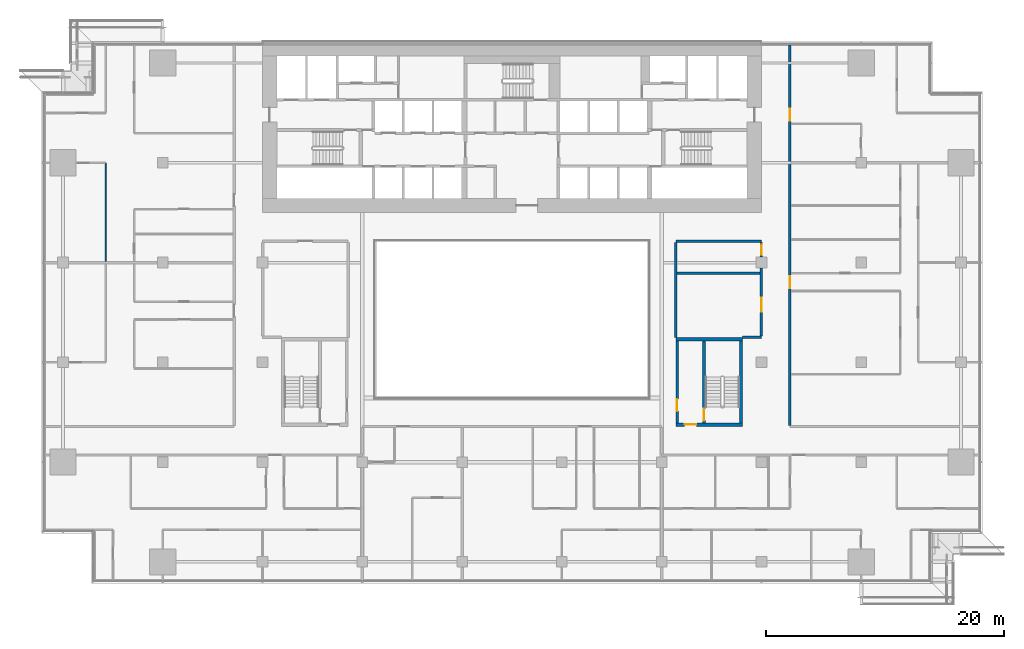
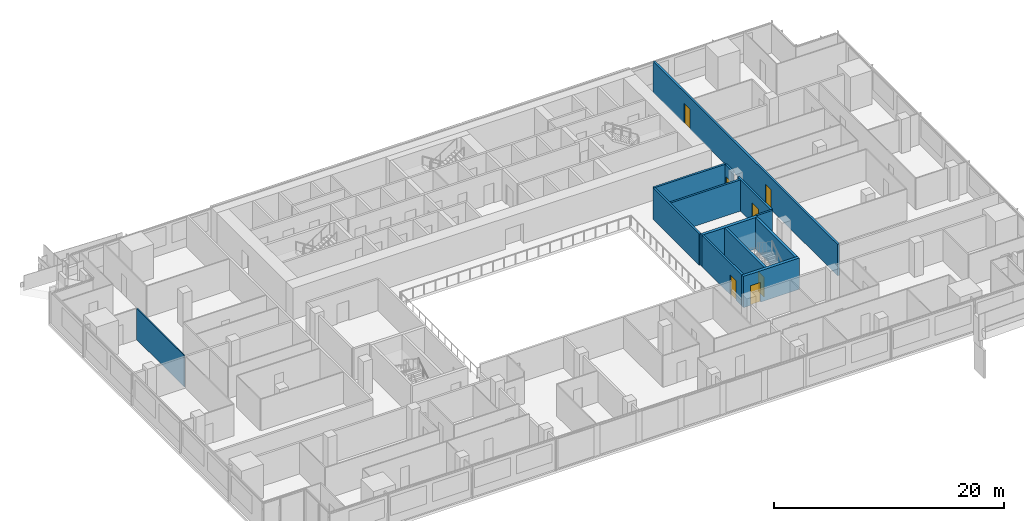
# One storey, part 20 of 30: 13 walls, 7 doors, 7 openings.
"""IFC4 building model written with IfcOpenShell, lengths in metres."""

from ifc_helpers import new_model, si_unit, direction, frame, frame_2d, origin, place, context, subcontext, project, spatial, rectangle, extrude, material, layer, layer_set, type_object, element, fill, save


model = new_model("IFC4")

# Units and contexts
model_context = context("Model", 3, precision=1e-05, world=origin(), true_north=direction((0.0, 1.0)))
body_context = subcontext(model_context, "Body", "Model", "MODEL_VIEW")
ifc_project = project(units=[si_unit("LENGTHUNIT", "METRE"), si_unit("AREAUNIT", "SQUARE_METRE"), si_unit("VOLUMEUNIT", "CUBIC_METRE"), si_unit("PLANEANGLEUNIT", "RADIAN"), si_unit("MASSUNIT", "GRAM", prefix="KILO")], contexts=[model_context])

# Site, building, storey
site_placement = place(None, origin())
site = spatial("IfcSite", under=ifc_project, at=site_placement, CompositionType="ELEMENT")
building_placement = place(site_placement, origin())
building = spatial("IfcBuilding", under=site, at=building_placement, Name="Saffron Gate Tower", CompositionType="ELEMENT")
storey_placement = place(building_placement, frame((0.0, 0.0, 69.60009765625)))
storey = spatial("IfcBuildingStorey", under=building, at=storey_placement, Name="L16", CompositionType="ELEMENT", Elevation=69.60009765625)

# Wall, opening, door
ifc_material_1 = material(Name="Gypsum board partition on steel studs", Category="steel")
ifc_layer_1 = layer(ifc_material_1, 0.199951171875)
ifc_layer_set_1 = layer_set([ifc_layer_1], Name="CW10 Core partition 200")
wall_type_1 = type_object("IfcWallType", Name="CW10 Core partition 200", PredefinedType="PARTITIONING", material=ifc_layer_set_1)
wall_1_placement = place(storey_placement, frame((101.5, 43.5, 0.0), z_axis=(0.0, 0.0, 1.0), x_axis=(0.0, 1.0, 0.0)))
wall_1 = element("IfcWall", 1, at=wall_1_placement, inside=storey, type_object=wall_type_1, Name="Wall CW10-L16-E-2", PredefinedType="PARTITIONING", context=body_context, shape_type="SweptSolid", body=[
    extrude(rectangle(XDim=6.89990234375, YDim=0.199951171875, at=frame_2d((3.449951171875, 0.0))), origin(), (0.0, 0.0, 1.0), 3.31982421875),
])
opening_1_placement = place(wall_1_placement, frame((1.0, 0.0, 0.0)))
opening_1 = element("IfcOpeningElement", 2, at=opening_1_placement, cuts=wall_1, Name="Opening CR-22", PredefinedType="OPENING", context=body_context, shape_type="SweptSolid", body=[
    extrude(rectangle(XDim=1.0, YDim=2.10009765625, at=frame_2d((0.5, 1.050048828125))), frame((0.0, 0.10986328125, 0.0), z_axis=(0.0, -1.0, 0.0), x_axis=(1.0, 0.0, 0.0)), (0.0, 0.0, 1.0), 0.219970703125),
])
ifc_material_2 = material(Name="Steel fire door set", Category="steel")
door_type_1 = type_object("IfcDoorType", Name="CD4 Lobby door 1000x2100 EI 120", OperationType="NOTDEFINED", PredefinedType="DOOR", material=ifc_material_2)
door_1_placement = place(opening_1_placement, origin())
door_1 = element("IfcDoor", 3, at=door_1_placement, inside=storey, type_object=door_type_1, Name="DOOR CR-22", OperationType="SINGLE_SWING_LEFT", OverallHeight=2.10009765625, OverallWidth=1.0, PredefinedType="DOOR", context=body_context, shape_type="SweptSolid", body=[
    extrude(rectangle(XDim=1.0, YDim=2.10009765625, at=frame_2d((0.5, 1.050048828125))), frame((0.0, 0.02490234375, 0.0), z_axis=(0.0, -1.0, 0.0), x_axis=(1.0, 0.0, 0.0)), (0.0, 0.0, 1.0), 0.050048828125),
])
fill(opening_1, door_1)

ifc_material_3 = material(Name="Concrete C70", Category="concrete")
ifc_layer_2 = layer(ifc_material_3, 0.25)
ifc_layer_set_2 = layer_set([ifc_layer_2], Name="CW2 RC core wall 250 C70")
wall_type_2 = type_object("IfcWallType", Name="CW2 RC core wall 250 C70", PredefinedType="SOLIDWALL", material=ifc_layer_set_2)
wall_2_placement = place(storey_placement, frame((103.77490234375, 43.5, 0.0), z_axis=(0.0, 0.0, 1.0), x_axis=(0.0, 1.0, 0.0)))
wall_2 = element("IfcWall", 4, at=wall_2_placement, inside=storey, type_object=wall_type_2, Name="Wall CW2-L16-E-3", PredefinedType="SOLIDWALL", context=body_context, shape_type="SweptSolid", body=[
    extrude(rectangle(XDim=6.89990234375, YDim=0.25, at=frame_2d((3.449951171875, 0.0))), origin(), (0.0, 0.0, 1.0), 3.31982421875),
])
opening_2_placement = place(wall_2_placement, frame((0.199951171875, 0.0, 0.0)))
opening_2 = element("IfcOpeningElement", 5, at=opening_2_placement, cuts=wall_2, Name="Opening CR-23", PredefinedType="OPENING", context=body_context, shape_type="SweptSolid", body=[
    extrude(rectangle(XDim=1.0, YDim=2.10009765625, at=frame_2d((0.5, 1.050048828125))), frame((0.0, 0.135009765625, 0.0), z_axis=(0.0, -1.0, 0.0), x_axis=(1.0, 0.0, 0.0)), (0.0, 0.0, 1.0), 0.27001953125),
])
door_type_2 = type_object("IfcDoorType", Name="CD5 Stair door 1000x2100 EI 120", OperationType="NOTDEFINED", PredefinedType="DOOR", material=ifc_material_2)
door_2_placement = place(opening_2_placement, origin())
door_2 = element("IfcDoor", 6, at=door_2_placement, inside=storey, type_object=door_type_2, Name="DOOR CR-23", OperationType="SINGLE_SWING_RIGHT", OverallHeight=2.10009765625, OverallWidth=1.0, PredefinedType="DOOR", context=body_context, shape_type="SweptSolid", body=[
    extrude(rectangle(XDim=1.0, YDim=2.10009765625, at=frame_2d((0.5, 1.050048828125))), frame((0.0, 0.02490234375, 0.0), z_axis=(0.0, -1.0, 0.0), x_axis=(1.0, 0.0, 0.0)), (0.0, 0.0, 1.0), 0.050048828125),
])
fill(opening_2, door_2)

# Wall
wall_3_placement = place(storey_placement, frame((106.875, 43.5, 0.0), z_axis=(0.0, 0.0, 1.0), x_axis=(0.0, 1.0, 0.0)))
element("IfcWall", 7, at=wall_3_placement, inside=storey, type_object=wall_type_2, Name="Wall CW2-L16-E-4", PredefinedType="SOLIDWALL", context=body_context, shape_type="SweptSolid", body=[
    extrude(rectangle(XDim=6.89990234375, YDim=0.25, at=frame_2d((3.449951171875, 0.0))), origin(), (0.0, 0.0, 1.0), 3.31982421875),
])

# Wall, opening, door
ifc_layer_3 = layer(ifc_material_3, 0.300048828125)
ifc_layer_set_3 = layer_set([ifc_layer_3], Name="CW5 RC core wall 300 C70")
wall_type_3 = type_object("IfcWallType", Name="CW5 RC core wall 300 C70", PredefinedType="SOLIDWALL", material=ifc_layer_set_3)
wall_4_placement = place(storey_placement, frame((101.39990234375, 43.35009765625, 0.0), z_axis=(0.0, 0.0, 1.0), x_axis=(1.0, 0.0, 0.0)))
wall_4 = element("IfcWall", 8, at=wall_4_placement, inside=storey, type_object=wall_type_3, Name="Wall CW5-L16-E-1", PredefinedType="SOLIDWALL", context=body_context, shape_type="SweptSolid", body=[
    extrude(rectangle(XDim=5.60009765625, YDim=0.300048828125, at=frame_2d((2.800048828125, 0.0))), origin(), (0.0, 0.0, 1.0), 3.31982421875),
])
opening_3_placement = place(wall_4_placement, frame((0.72509765625, 0.0, 0.0)))
opening_3 = element("IfcOpeningElement", 9, at=opening_3_placement, cuts=wall_4, Name="Opening CR-21", PredefinedType="OPENING", context=body_context, shape_type="SweptSolid", body=[
    extrude(rectangle(XDim=1.0, YDim=2.10009765625, at=frame_2d((0.5, 1.050048828125))), frame((0.0, 0.16015625, 0.0), z_axis=(0.0, -1.0, 0.0), x_axis=(1.0, 0.0, 0.0)), (0.0, 0.0, 1.0), 0.320068359375),
])
door_3_placement = place(opening_3_placement, origin())
door_3 = element("IfcDoor", 10, at=door_3_placement, inside=storey, type_object=door_type_1, Name="DOOR CR-21", OperationType="SINGLE_SWING_RIGHT", OverallHeight=2.10009765625, OverallWidth=1.0, PredefinedType="DOOR", context=body_context, shape_type="SweptSolid", body=[
    extrude(rectangle(XDim=1.0, YDim=2.10009765625, at=frame_2d((0.5, 1.050048828125))), frame((0.0, 0.02490234375, 0.0), z_axis=(0.0, -1.0, 0.0), x_axis=(1.0, 0.0, 0.0)), (0.0, 0.0, 1.0), 0.050048828125),
])
fill(opening_3, door_3)

# Walls
wall_5_placement = place(storey_placement, frame((101.39990234375, 50.550048828125, 0.0), z_axis=(0.0, 0.0, 1.0), x_axis=(1.0, 0.0, 0.0)))
element("IfcWall", 11, at=wall_5_placement, inside=storey, type_object=wall_type_3, Name="Wall CW5-L16-E-5", PredefinedType="SOLIDWALL", context=body_context, shape_type="SweptSolid", body=[
    extrude(rectangle(XDim=5.60009765625, YDim=0.300048828125, at=frame_2d((2.800048828125, 0.0))), origin(), (0.0, 0.0, 1.0), 3.31982421875),
])
ifc_material_4 = material(Name="Plasterboard on steel studs", Category="steel")
ifc_layer_4 = layer(ifc_material_4, 0.10009765625)
ifc_layer_set_4 = layer_set([ifc_layer_4], Name="PW1 Partition 100")
wall_type_4 = type_object("IfcWallType", Name="PW1 Partition 100", PredefinedType="PARTITIONING", material=ifc_layer_set_4)
wall_6_placement = place(storey_placement, frame((53.39990234375, 65.35009765625, 0.0), z_axis=(0.0, 0.0, 1.0), x_axis=(0.0, -1.0, 0.0)))
element("IfcWall", 12, at=wall_6_placement, inside=storey, type_object=wall_type_4, Name="Partition A4-106", PredefinedType="PARTITIONING", context=body_context, shape_type="SweptSolid", body=[
    extrude(rectangle(XDim=8.25, YDim=0.10009765625, at=frame_2d((4.125, 0.0))), origin(), (0.0, 0.0, 1.0), 3.31982421875),
])
ifc_material_5 = material(Name="Clay brick masonry, rendered", Category="masonry")
ifc_layer_5 = layer(ifc_material_5, 0.199951171875)
ifc_layer_set_5 = layer_set([ifc_layer_5], Name="PW3 Corridor wall 200")
wall_type_5 = type_object("IfcWallType", Name="PW3 Corridor wall 200", PredefinedType="PARTITIONING", material=ifc_layer_set_5)
wall_7_placement = place(storey_placement, frame((107.0, 50.699951171875, 0.0), z_axis=(0.0, 0.0, 1.0), x_axis=(1.0, 0.0, 0.0)))
element("IfcWall", 13, at=wall_7_placement, inside=storey, type_object=wall_type_5, Name="Wall A4-24", PredefinedType="PARTITIONING", context=body_context, shape_type="SweptSolid", body=[
    extrude(rectangle(XDim=1.60009765625, YDim=0.199951171875, at=frame_2d((0.800048828125, 0.0))), origin(), (0.0, 0.0, 1.0), 3.31982421875),
])
wall_8_placement = place(storey_placement, frame((101.39990234375, 58.800048828125, 0.0), z_axis=(0.0, 0.0, 1.0), x_axis=(1.0, 0.0, 0.0)))
element("IfcWall", 14, at=wall_8_placement, inside=storey, type_object=wall_type_5, Name="Wall A4-36", PredefinedType="PARTITIONING", context=body_context, shape_type="SweptSolid", body=[
    extrude(rectangle(XDim=7.2001953125, YDim=0.199951171875, at=frame_2d((3.60009765625, 0.0))), origin(), (0.0, 0.0, 1.0), 3.31982421875),
])
wall_9_placement = place(storey_placement, frame((101.39990234375, 58.699951171875, 0.0), z_axis=(0.0, 0.0, 1.0), x_axis=(0.0, -1.0, 0.0)))
element("IfcWall", 15, at=wall_9_placement, inside=storey, type_object=wall_type_5, Name="Wall A4-83", PredefinedType="PARTITIONING", context=body_context, shape_type="SweptSolid", body=[
    extrude(rectangle(XDim=8.0, YDim=0.199951171875, at=frame_2d((4.0, 0.0))), origin(), (0.0, 0.0, 1.0), 3.31982421875),
])

# Wall, opening, door
wall_10_placement = place(storey_placement, frame((108.60009765625, 50.800048828125, 0.0), z_axis=(0.0, 0.0, 1.0), x_axis=(0.0, 1.0, 0.0)))
wall_10 = element("IfcWall", 16, at=wall_10_placement, inside=storey, type_object=wall_type_5, Name="Wall A4-86", PredefinedType="PARTITIONING", context=body_context, shape_type="SweptSolid", body=[
    extrude(rectangle(XDim=5.72998046875, YDim=0.199951171875, at=frame_2d((2.864990234375, 0.0))), origin(), (0.0, 0.0, 1.0), 3.31982421875),
])
opening_4_placement = place(wall_10_placement, frame((2.050048828125, 0.0, 0.0)))
opening_4 = element("IfcOpeningElement", 17, at=opening_4_placement, cuts=wall_10, Name="Opening A4-46", PredefinedType="OPENING", context=body_context, shape_type="SweptSolid", body=[
    extrude(rectangle(XDim=1.199951171875, YDim=2.10009765625, at=frame_2d((0.60009765625, 1.050048828125))), frame((0.0, 0.10986328125, 0.0), z_axis=(0.0, -1.0, 0.0), x_axis=(1.0, 0.0, 0.0)), (0.0, 0.0, 1.0), 0.219970703125),
])
ifc_material_6 = material(Name="Timber door set", Category="wood")
door_type_3 = type_object("IfcDoorType", Name="HD1 Hall door 1200x2100", OperationType="NOTDEFINED", PredefinedType="DOOR", material=ifc_material_6)
door_4_placement = place(opening_4_placement, origin())
door_4 = element("IfcDoor", 18, at=door_4_placement, inside=storey, type_object=door_type_3, Name="Door A4-46", OperationType="SINGLE_SWING_RIGHT", OverallHeight=2.10009765625, OverallWidth=1.199951171875, PredefinedType="DOOR", context=body_context, shape_type="SweptSolid", body=[
    extrude(rectangle(XDim=1.199951171875, YDim=2.10009765625, at=frame_2d((0.60009765625, 1.050048828125))), frame((0.0, 0.02490234375, 0.0), z_axis=(0.0, -1.0, 0.0), x_axis=(1.0, 0.0, 0.0)), (0.0, 0.0, 1.0), 0.050048828125),
])
fill(opening_4, door_4)

wall_11_placement = place(storey_placement, frame((108.60009765625, 57.469970703125, 0.0), z_axis=(0.0, 0.0, 1.0), x_axis=(0.0, 1.0, 0.0)))
wall_11 = element("IfcWall", 19, at=wall_11_placement, inside=storey, type_object=wall_type_5, Name="Wall A4-87", PredefinedType="PARTITIONING", context=body_context, shape_type="SweptSolid", body=[
    extrude(rectangle(XDim=1.22998046875, YDim=0.199951171875, at=frame_2d((0.614990234375, 0.0))), origin(), (0.0, 0.0, 1.0), 3.31982421875),
])
opening_5_placement = place(wall_11_placement, frame((0.1650390625, 0.0, 0.0)))
opening_5 = element("IfcOpeningElement", 20, at=opening_5_placement, cuts=wall_11, Name="Opening A4-33", PredefinedType="OPENING", context=body_context, shape_type="SweptSolid", body=[
    extrude(rectangle(XDim=0.89990234375, YDim=2.10009765625, at=frame_2d((0.449951171875, 1.050048828125))), frame((0.0, 0.10986328125, 0.0), z_axis=(0.0, -1.0, 0.0), x_axis=(1.0, 0.0, 0.0)), (0.0, 0.0, 1.0), 0.219970703125),
])
door_type_4 = type_object("IfcDoorType", Name="RD1 Room door 900x2100", OperationType="NOTDEFINED", PredefinedType="DOOR", material=ifc_material_6)
door_5_placement = place(opening_5_placement, origin())
door_5 = element("IfcDoor", 21, at=door_5_placement, inside=storey, type_object=door_type_4, Name="Door A4-33", OperationType="SINGLE_SWING_RIGHT", OverallHeight=2.10009765625, OverallWidth=0.89990234375, PredefinedType="DOOR", context=body_context, shape_type="SweptSolid", body=[
    extrude(rectangle(XDim=0.89990234375, YDim=2.10009765625, at=frame_2d((0.449951171875, 1.050048828125))), frame((0.0, 0.02490234375, 0.0), z_axis=(0.0, -1.0, 0.0), x_axis=(1.0, 0.0, 0.0)), (0.0, 0.0, 1.0), 0.050048828125),
])
fill(opening_5, door_5)

# Wall, openings, doors
wall_12_placement = place(storey_placement, frame((111.0, 75.320068359375, 0.0), z_axis=(0.0, 0.0, 1.0), x_axis=(0.0, -1.0, 0.0)))
wall_12 = element("IfcWall", 22, at=wall_12_placement, inside=storey, type_object=wall_type_5, Name="Wall A4-89", PredefinedType="PARTITIONING", context=body_context, shape_type="SweptSolid", body=[
    extrude(rectangle(XDim=32.02001953125, YDim=0.199951171875, at=frame_2d((16.010009765625, 0.0))), origin(), (0.0, 0.0, 1.0), 3.31982421875),
])
opening_6_placement = place(wall_12_placement, frame((5.3701171875, 0.0, 0.0)))
opening_6 = element("IfcOpeningElement", 23, at=opening_6_placement, cuts=wall_12, Name="Opening A4-8", PredefinedType="OPENING", context=body_context, shape_type="SweptSolid", body=[
    extrude(rectangle(XDim=1.0, YDim=2.10009765625, at=frame_2d((0.5, 1.050048828125))), frame((0.0, 0.10986328125, 0.0), z_axis=(0.0, -1.0, 0.0), x_axis=(1.0, 0.0, 0.0)), (0.0, 0.0, 1.0), 0.219970703125),
])
opening_7_placement = place(wall_12_placement, frame((19.469970703125, 0.0, 0.0)))
opening_7 = element("IfcOpeningElement", 24, at=opening_7_placement, cuts=wall_12, Name="Opening A4-7", PredefinedType="OPENING", context=body_context, shape_type="SweptSolid", body=[
    extrude(rectangle(XDim=1.0, YDim=2.10009765625, at=frame_2d((0.5, 1.050048828125))), frame((0.0, 0.10986328125, 0.0), z_axis=(0.0, -1.0, 0.0), x_axis=(1.0, 0.0, 0.0)), (0.0, 0.0, 1.0), 0.219970703125),
])
ifc_material_7 = material(Name="Timber fire door set", Category="wood")
door_type_5 = type_object("IfcDoorType", Name="FD1 Flat entry door 1000x2100", OperationType="NOTDEFINED", PredefinedType="DOOR", material=ifc_material_7)
door_6_placement = place(opening_6_placement, origin())
door_6 = element("IfcDoor", 25, at=door_6_placement, inside=storey, type_object=door_type_5, Name="Door A4-8", OperationType="SINGLE_SWING_RIGHT", OverallHeight=2.10009765625, OverallWidth=1.0, PredefinedType="DOOR", context=body_context, shape_type="SweptSolid", body=[
    extrude(rectangle(XDim=1.0, YDim=2.10009765625, at=frame_2d((0.5, 1.050048828125))), frame((0.0, 0.02490234375, 0.0), z_axis=(0.0, -1.0, 0.0), x_axis=(1.0, 0.0, 0.0)), (0.0, 0.0, 1.0), 0.050048828125),
])
fill(opening_6, door_6)
door_7_placement = place(opening_7_placement, origin())
door_7 = element("IfcDoor", 26, at=door_7_placement, inside=storey, type_object=door_type_5, Name="Door A4-7", OperationType="SINGLE_SWING_LEFT", OverallHeight=2.10009765625, OverallWidth=1.0, PredefinedType="DOOR", context=body_context, shape_type="SweptSolid", body=[
    extrude(rectangle(XDim=1.0, YDim=2.10009765625, at=frame_2d((0.5, 1.050048828125))), frame((0.0, 0.02490234375, 0.0), z_axis=(0.0, -1.0, 0.0), x_axis=(1.0, 0.0, 0.0)), (0.0, 0.0, 1.0), 0.050048828125),
])
fill(opening_7, door_7)

# Wall
ifc_layer_6 = layer(ifc_material_5, 0.199951171875)
ifc_layer_set_6 = layer_set([ifc_layer_6], Name="PW5 Room wall 200")
wall_type_6 = type_object("IfcWallType", Name="PW5 Room wall 200", PredefinedType="PARTITIONING", material=ifc_layer_set_6)
wall_13_placement = place(storey_placement, frame((101.5, 56.10009765625, 0.0), z_axis=(0.0, 0.0, 1.0), x_axis=(1.0, 0.0, 0.0)))
element("IfcWall", 27, at=wall_13_placement, inside=storey, type_object=wall_type_6, Name="Wall A4-29", PredefinedType="PARTITIONING", context=body_context, shape_type="SweptSolid", body=[
    extrude(rectangle(XDim=7.0, YDim=0.199951171875, at=frame_2d((3.5, 0.0))), origin(), (0.0, 0.0, 1.0), 3.31982421875),
])

save(model, "model.ifc")
